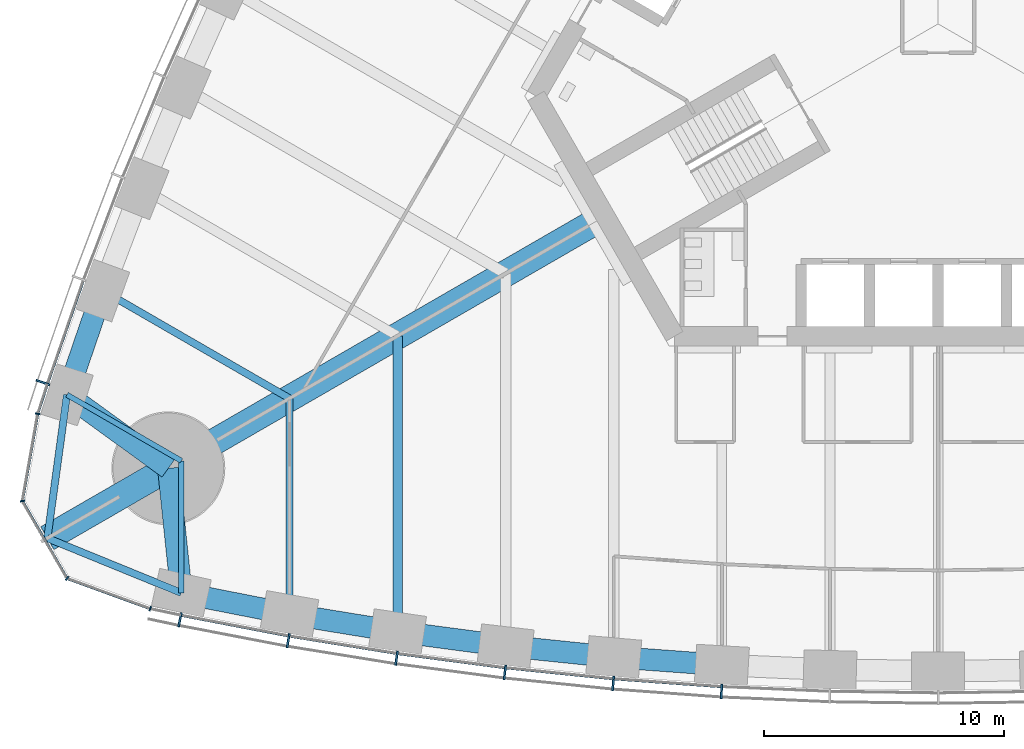
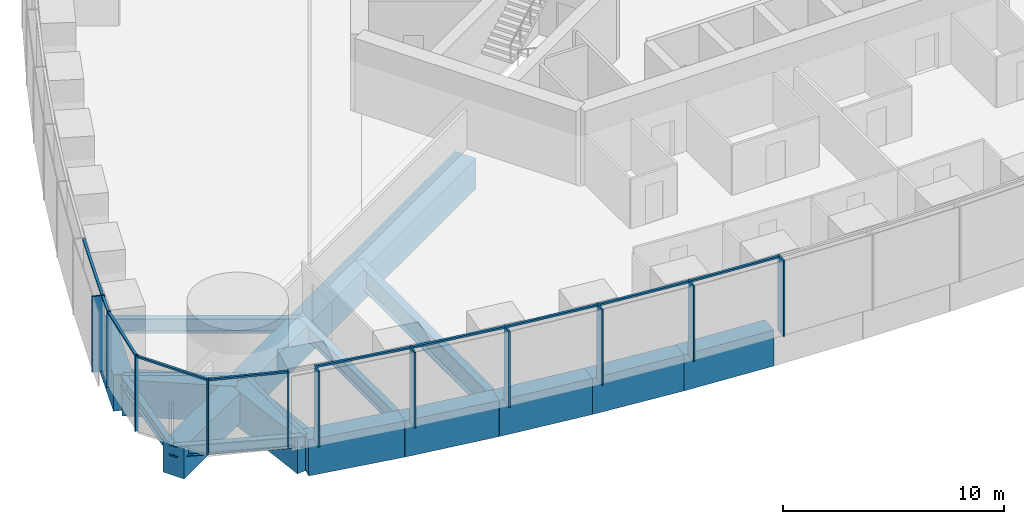
# One storey, part 2 of 18: 21 members, 17 beams, 3 elements without a shape of their own.
"""IFC4 building model written with IfcOpenShell, lengths in metres."""

from ifc_helpers import new_model, si_unit, direction, frame, origin, origin_2d, place, context, subcontext, project, spatial, rectangle, i_section, extrude, material, material_profile, profile_set, type_object, element, aggregate, save


model = new_model("IFC4")

# Units and contexts
model_context = context("Model", 3, precision=1e-05, world=origin(), true_north=direction((0.0, 1.0)))
body_context = subcontext(model_context, "Body", "Model", "MODEL_VIEW")
ifc_project = project(units=[si_unit("LENGTHUNIT", "METRE"), si_unit("AREAUNIT", "SQUARE_METRE"), si_unit("VOLUMEUNIT", "CUBIC_METRE"), si_unit("PLANEANGLEUNIT", "RADIAN"), si_unit("MASSUNIT", "GRAM", prefix="KILO")], contexts=[model_context])

# Site, building, storey
site_placement = place(None, origin())
site = spatial("IfcSite", under=ifc_project, at=site_placement, CompositionType="ELEMENT")
building_placement = place(site_placement, origin())
building = spatial("IfcBuilding", under=site, at=building_placement, Name="Trefoil Bronze Tower", CompositionType="ELEMENT")
storey_placement = place(building_placement, frame((0.0, 0.0, 75.300048828125)))
storey = spatial("IfcBuildingStorey", under=building, at=storey_placement, Name="L17", CompositionType="ELEMENT", Elevation=75.300048828125)

# Curtain wall, members
ifc_material_1 = material(Name="Tinted solar-control glass", Category="glass")
curtain_wall_type_1 = type_object("IfcCurtainWallType", Name="Bronze office curtain wall", PredefinedType="USERDEFINED", material=ifc_material_1)
curtain_wall_1_placement = place(storey_placement, origin())
curtain_wall_1 = element("IfcCurtainWall", 1, at=curtain_wall_1_placement, inside=storey, type_object=curtain_wall_type_1, Name="CW-A L17 F1", ObjectType="CURTAIN WALL", PredefinedType="USERDEFINED")
ifc_material_2 = material(Name="Bronze-finish aluminium", Category="aluminium")
ifc_material_profile_1 = material_profile(ifc_material_2, rectangle(XDim=0.60009765625, YDim=0.080078125, at=origin_2d()), Name="CW-A mullion")
ifc_profile_set_1 = profile_set([ifc_material_profile_1], Name="Bronze-finish aluminium")
member_type_1 = type_object("IfcMemberType", Name="Bronze office curtain wall mullion", PredefinedType="MULLION", material=ifc_profile_set_1)
member_1_placement = place(storey_placement, frame((-31.559326171875, -24.81005859375, 0.0), z_axis=(0.0, 0.0, 1.0), x_axis=(0.197910006829, 0.98022019424, 0.0)))
member_1 = element("IfcMember", 2, at=member_1_placement, type_object=member_type_1, Name="CW-A L17 F1 mullion 2", PredefinedType="MULLION", context=body_context, shape_type="SweptSolid", body=[
    extrude(rectangle(XDim=0.60009765625, YDim=0.080078125, at=origin_2d()), origin(), (0.0, 0.0, 1.0), 4.179931640625),
])
member_2_placement = place(storey_placement, frame((-27.05224609375, -25.67578125, 0.0), z_axis=(0.0, 0.0, 1.0), x_axis=(0.174131146426, 0.984722470468, 0.0)))
member_2 = element("IfcMember", 3, at=member_2_placement, type_object=member_type_1, Name="CW-A L17 F1 mullion 3", PredefinedType="MULLION", context=body_context, shape_type="SweptSolid", body=[
    extrude(rectangle(XDim=0.60009765625, YDim=0.080078125, at=origin_2d()), origin(), (0.0, 0.0, 1.0), 4.179931640625),
])
member_3_placement = place(storey_placement, frame((-22.54345703125, -26.40478515625, 0.0), z_axis=(0.0, 0.0, 1.0), x_axis=(0.145108990094, 0.989415676546, 0.0)))
member_3 = element("IfcMember", 4, at=member_3_placement, type_object=member_type_1, Name="CW-A L17 F1 mullion 4", PredefinedType="MULLION", context=body_context, shape_type="SweptSolid", body=[
    extrude(rectangle(XDim=0.60009765625, YDim=0.080078125, at=origin_2d()), origin(), (0.0, 0.0, 1.0), 4.179931640625),
])
member_4_placement = place(storey_placement, frame((-18.034912109375, -26.99853515625, 0.0), z_axis=(0.0, 0.0, 1.0), x_axis=(0.116086999973, 0.993239048989, 0.0)))
member_4 = element("IfcMember", 5, at=member_4_placement, type_object=member_type_1, Name="CW-A L17 F1 mullion 5", PredefinedType="MULLION", context=body_context, shape_type="SweptSolid", body=[
    extrude(rectangle(XDim=0.60009765625, YDim=0.080078125, at=origin_2d()), origin(), (0.0, 0.0, 1.0), 4.179931640625),
])
member_5_placement = place(storey_placement, frame((-13.526123046875, -27.458984375, 0.0), z_axis=(0.0, 0.0, 1.0), x_axis=(0.087065139456, 0.996202620701, 0.0)))
member_5 = element("IfcMember", 6, at=member_5_placement, type_object=member_type_1, Name="CW-A L17 F1 mullion 6", PredefinedType="MULLION", context=body_context, shape_type="SweptSolid", body=[
    extrude(rectangle(XDim=0.60009765625, YDim=0.080078125, at=origin_2d()), origin(), (0.0, 0.0, 1.0), 4.179931640625),
])
member_6_placement = place(storey_placement, frame((-9.017333984375, -27.786865234375, 0.0), z_axis=(0.0, 0.0, 1.0), x_axis=(0.058043374207, 0.998314062162, 0.0)))
member_6 = element("IfcMember", 7, at=member_6_placement, type_object=member_type_1, Name="CW-A L17 F1 mullion 7", PredefinedType="MULLION", context=body_context, shape_type="SweptSolid", body=[
    extrude(rectangle(XDim=0.60009765625, YDim=0.080078125, at=origin_2d()), origin(), (0.0, 0.0, 1.0), 4.179931640625),
])

# Curtain wall, member
curtain_wall_2_placement = place(storey_placement, origin())
curtain_wall_2 = element("IfcCurtainWall", 8, at=curtain_wall_2_placement, inside=storey, type_object=curtain_wall_type_1, Name="CW-A L17 F3", ObjectType="CURTAIN WALL", PredefinedType="USERDEFINED")
member_7_placement = place(storey_placement, frame((-37.265869140625, -14.92626953125, 0.0), z_axis=(0.0, 0.0, 1.0), x_axis=(0.947850592929, -0.318715003543, 0.0)))
member_7 = element("IfcMember", 9, at=member_7_placement, type_object=member_type_1, Name="CW-A L17 F3 mullion 16", PredefinedType="MULLION", context=body_context, shape_type="SweptSolid", body=[
    extrude(rectangle(XDim=0.60009765625, YDim=0.080078125, at=origin_2d()), origin(), (0.0, 0.0, 1.0), 4.179931640625),
])

# Member
ifc_material_3 = material(Name="Bronze-finish aluminium", Category="aluminium")
ifc_material_profile_2 = material_profile(ifc_material_3, rectangle(XDim=0.1201171875, YDim=0.10009765625, at=origin_2d()), Name="CW-A transom")
ifc_profile_set_2 = profile_set([ifc_material_profile_2], Name="Bronze-finish aluminium")
member_type_2 = type_object("IfcMemberType", Name="Bronze office curtain wall transom", PredefinedType="USERDEFINED", material=ifc_profile_set_2)
member_8_placement = place(storey_placement, frame((-31.4794921875, -24.621826171875, 4.1298828125), z_axis=(0.982053603997, -0.188602011855, 0.0), x_axis=(0.188602011855, 0.982053603997, 0.0)))
member_8 = element("IfcMember", 10, at=member_8_placement, type_object=member_type_2, Name="CW-A L17 F1 transom 2", ObjectType="TRANSOM", PredefinedType="USERDEFINED", context=body_context, shape_type="SweptSolid", body=[
    extrude(rectangle(XDim=0.1201171875, YDim=0.10009765625, at=origin_2d()), origin(), (0.0, 0.0, 1.0), 4.502197265625),
])

member_9_placement = place(storey_placement, frame((-26.9765625, -25.4853515625, 4.1298828125), z_axis=(0.987179401487, -0.159614627398, 0.0), x_axis=(0.159614627398, 0.987179401487, 0.0)))
member_9 = element("IfcMember", 11, at=member_9_placement, type_object=member_type_2, Name="CW-A L17 F1 transom 3", ObjectType="TRANSOM", PredefinedType="USERDEFINED", context=body_context, shape_type="SweptSolid", body=[
    extrude(rectangle(XDim=0.1201171875, YDim=0.10009765625, at=origin_2d()), origin(), (0.0, 0.0, 1.0), 4.478515625),
])

member_10_placement = place(storey_placement, frame((-22.473388671875, -26.212158203125, 4.1298828125), z_axis=(0.991436581643, -0.13058906761, 0.0), x_axis=(0.13058906761, 0.991436581643, 0.0)))
member_10 = element("IfcMember", 12, at=member_10_placement, type_object=member_type_2, Name="CW-A L17 F1 transom 4", ObjectType="TRANSOM", PredefinedType="USERDEFINED", context=body_context, shape_type="SweptSolid", body=[
    extrude(rectangle(XDim=0.1201171875, YDim=0.10009765625, at=origin_2d()), origin(), (0.0, 0.0, 1.0), 4.458740234375),
])

member_11_placement = place(storey_placement, frame((-17.970458984375, -26.80419921875, 4.1298828125), z_axis=(0.994831650915, -0.101538102888, 0.0), x_axis=(0.101538102888, 0.994831650915, 0.0)))
member_11 = element("IfcMember", 13, at=member_11_placement, type_object=member_type_2, Name="CW-A L17 F1 transom 5", ObjectType="TRANSOM", PredefinedType="USERDEFINED", context=body_context, shape_type="SweptSolid", body=[
    extrude(rectangle(XDim=0.1201171875, YDim=0.10009765625, at=origin_2d()), origin(), (0.0, 0.0, 1.0), 4.443359375),
])

member_12_placement = place(storey_placement, frame((-13.46728515625, -27.2626953125, 4.1298828125), z_axis=(0.997364729945, -0.07255064067, 0.0), x_axis=(0.07255064067, 0.997364729945, 0.0)))
member_12 = element("IfcMember", 14, at=member_12_placement, type_object=member_type_2, Name="CW-A L17 F1 transom 6", ObjectType="TRANSOM", PredefinedType="USERDEFINED", context=body_context, shape_type="SweptSolid", body=[
    extrude(rectangle(XDim=0.1201171875, YDim=0.10009765625, at=origin_2d()), origin(), (0.0, 0.0, 1.0), 4.431884765625),
])

aggregate(curtain_wall_1, [member_1, member_2, member_3, member_4, member_5, member_6, member_8, member_9, member_10, member_11, member_12])

member_13_placement = place(storey_placement, frame((-35.587646484375, -10.697509765625, 4.1298828125), z_axis=(-0.327689728493, -0.944785394595, 0.0), x_axis=(0.944785394595, -0.327689728493, 0.0)))
member_13 = element("IfcMember", 15, at=member_13_placement, type_object=member_type_2, Name="CW-A L17 F3 transom 15", ObjectType="TRANSOM", PredefinedType="USERDEFINED", context=body_context, shape_type="SweptSolid", body=[
    extrude(rectangle(XDim=0.1201171875, YDim=0.10009765625, at=origin_2d()), origin(), (0.0, 0.0, 1.0), 4.502197265625),
])

member_14_placement = place(storey_placement, frame((-37.089111328125, -15.02880859375, 4.1298828125), z_axis=(-0.309624219148, -0.950859002648, 0.0), x_axis=(0.950859002648, -0.309624219148, 0.0)))
member_14 = element("IfcMember", 16, at=member_14_placement, type_object=member_type_2, Name="CW-A L17 F3 transom 16", ObjectType="TRANSOM", PredefinedType="USERDEFINED", context=body_context, shape_type="SweptSolid", body=[
    extrude(rectangle(XDim=0.1201171875, YDim=0.10009765625, at=origin_2d()), origin(), (0.0, 0.0, 1.0), 1.21044921875),
])

aggregate(curtain_wall_2, [member_7, member_13, member_14])

# Curtain wall, members
ifc_material_4 = material(Name="Tinted solar-control glass", Category="glass")
curtain_wall_type_2 = type_object("IfcCurtainWallType", Name="Bronze rounded corner curtain wall", PredefinedType="USERDEFINED", material=ifc_material_4)
curtain_wall_3_placement = place(storey_placement, origin())
curtain_wall_3 = element("IfcCurtainWall", 17, at=curtain_wall_3_placement, inside=storey, type_object=curtain_wall_type_2, Name="CW-B L17 K3", ObjectType="CURTAIN WALL", PredefinedType="USERDEFINED")
ifc_material_5 = material(Name="Bronze-finish aluminium", Category="aluminium")
ifc_material_profile_3 = material_profile(ifc_material_5, rectangle(XDim=0.199951171875, YDim=0.06005859375, at=origin_2d()), Name="CW-B mullion")
ifc_profile_set_3 = profile_set([ifc_material_profile_3], Name="Bronze-finish aluminium")
member_type_3 = type_object("IfcMemberType", Name="Bronze rounded corner curtain wall mullion", PredefinedType="MULLION", material=ifc_profile_set_3)
member_15_placement = place(storey_placement, frame((-37.479736328125, -16.2314453125, 0.0), z_axis=(0.0, 0.0, 1.0), x_axis=(0.984807753012, -0.173648177667, 0.0)))
member_15 = element("IfcMember", 18, at=member_15_placement, type_object=member_type_3, Name="CW-B L17 K3 mullion 1", PredefinedType="MULLION", context=body_context, shape_type="SweptSolid", body=[
    extrude(rectangle(XDim=0.199951171875, YDim=0.06005859375, at=origin_2d()), origin(), (0.0, 0.0, 1.0), 4.179931640625),
])
member_16_placement = place(storey_placement, frame((-38.11328125, -19.85888671875, 0.0), z_axis=(0.0, 0.0, 1.0), x_axis=(0.984807753012, 0.173648177667, 0.0)))
member_16 = element("IfcMember", 19, at=member_16_placement, type_object=member_type_3, Name="CW-B L17 K3 mullion 2", PredefinedType="MULLION", context=body_context, shape_type="SweptSolid", body=[
    extrude(rectangle(XDim=0.199951171875, YDim=0.06005859375, at=origin_2d()), origin(), (0.0, 0.0, 1.0), 4.179931640625),
])
member_17_placement = place(storey_placement, frame((-36.2548828125, -23.07763671875, 0.0), z_axis=(0.0, 0.0, 1.0), x_axis=(0.642787609687, 0.766044443119, 0.0)))
member_17 = element("IfcMember", 20, at=member_17_placement, type_object=member_type_3, Name="CW-B L17 K3 mullion 3", PredefinedType="MULLION", context=body_context, shape_type="SweptSolid", body=[
    extrude(rectangle(XDim=0.199951171875, YDim=0.06005859375, at=origin_2d()), origin(), (0.0, 0.0, 1.0), 4.179931640625),
])
member_18_placement = place(storey_placement, frame((-32.796630859375, -24.3427734375, 0.0), z_axis=(0.0, 0.0, 1.0), x_axis=(0.342020143326, 0.939692620786, 0.0)))
member_18 = element("IfcMember", 21, at=member_18_placement, type_object=member_type_3, Name="CW-B L17 K3 mullion 4", PredefinedType="MULLION", context=body_context, shape_type="SweptSolid", body=[
    extrude(rectangle(XDim=0.199951171875, YDim=0.06005859375, at=origin_2d()), origin(), (0.0, 0.0, 1.0), 4.179931640625),
])
ifc_material_6 = material(Name="Bronze-finish aluminium", Category="aluminium")
ifc_material_profile_4 = material_profile(ifc_material_6, rectangle(XDim=0.1201171875, YDim=0.10009765625, at=origin_2d()), Name="CW-B transom")
ifc_profile_set_4 = profile_set([ifc_material_profile_4], Name="Bronze-finish aluminium")
member_type_4 = type_object("IfcMemberType", Name="Bronze rounded corner curtain wall transom", PredefinedType="USERDEFINED", material=ifc_profile_set_4)
member_19_placement = place(storey_placement, frame((-37.48486328125, -16.260986328125, 4.1298828125), z_axis=(-0.17363783606, -0.984809576461, 0.0), x_axis=(0.984809576461, -0.17363783606, 0.0)))
member_19 = element("IfcMember", 22, at=member_19_placement, type_object=member_type_4, Name="CW-B L17 K3 transom 1", ObjectType="TRANSOM", PredefinedType="USERDEFINED", context=body_context, shape_type="SweptSolid", body=[
    extrude(rectangle(XDim=0.1201171875, YDim=0.10009765625, at=origin_2d()), origin(), (0.0, 0.0, 1.0), 3.588134765625),
])
member_20_placement = place(storey_placement, frame((-38.08642578125, -19.91748046875, 4.1298828125), z_axis=(0.500024788772, -0.866011091507, 0.0), x_axis=(0.866011091507, 0.500024788772, 0.0)))
member_20 = element("IfcMember", 23, at=member_20_placement, type_object=member_type_4, Name="CW-B L17 K3 transom 2", ObjectType="TRANSOM", PredefinedType="USERDEFINED", context=body_context, shape_type="SweptSolid", body=[
    extrude(rectangle(XDim=0.1201171875, YDim=0.10009765625, at=origin_2d()), origin(), (0.0, 0.0, 1.0), 3.588134765625),
])
member_21_placement = place(storey_placement, frame((-36.196533203125, -23.105224609375, 4.1298828125), z_axis=(0.939688092095, -0.342032585545, 0.0), x_axis=(0.342032585545, 0.939688092095, 0.0)))
member_21 = element("IfcMember", 24, at=member_21_placement, type_object=member_type_4, Name="CW-B L17 K3 transom 3", ObjectType="TRANSOM", PredefinedType="USERDEFINED", context=body_context, shape_type="SweptSolid", body=[
    extrude(rectangle(XDim=0.1201171875, YDim=0.10009765625, at=origin_2d()), origin(), (0.0, 0.0, 1.0), 3.588134765625),
])
aggregate(curtain_wall_3, [member_15, member_16, member_17, member_18, member_19, member_20, member_21])

# Beams
ifc_material_7 = material(Name="Concrete B80", Category="concrete")
ifc_material_profile_5 = material_profile(ifc_material_7, rectangle(XDim=1.10009765625, YDim=1.699951171875, at=origin_2d()), Name="RC 1100x1700")
ifc_profile_set_5 = profile_set([ifc_material_profile_5], Name="Concrete B80")
beam_type_1 = type_object("IfcBeamType", Name="Corner cantilever RC 1100x1700", PredefinedType="BEAM", material=ifc_profile_set_5)
beam_1_placement = place(storey_placement, frame((-32.04296875, -18.5, -1.050048828125), z_axis=(-0.866030348588, -0.499991435252, 0.0), x_axis=(0.499991435252, -0.866030348588, 0.0)))
element("IfcBeam", 25, at=beam_1_placement, inside=storey, type_object=beam_type_1, Name="Corner cantilever K3 L17", PredefinedType="BEAM", context=body_context, shape_type="SweptSolid", body=[
    extrude(rectangle(XDim=1.10009765625, YDim=1.699951171875, at=origin_2d()), origin(), (0.0, 0.0, 1.0), 5.81396484375),
])
ifc_material_8 = material(Name="Steel C355", Category="steel")
ifc_material_profile_6 = material_profile(ifc_material_8, i_section(OverallWidth=0.300048828125, OverallDepth=0.60009765625, WebThickness=0.015380859375, FlangeThickness=0.030029296875, FilletRadius=0.027099609375, at=origin_2d()), Name="HEB 600")
ifc_profile_set_6 = profile_set([ifc_material_profile_6], Name="Steel C355")
beam_type_2 = type_object("IfcBeamType", Name="Corner edge beam HEB 600", PredefinedType="BEAM", material=ifc_profile_set_6)
beam_2_placement = place(storey_placement, frame((-31.5, -23.684814453125, -0.5), z_axis=(-0.925786874353, 0.378045848114, 0.0), x_axis=(-0.378045848114, -0.925786874353, 0.0)))
element("IfcBeam", 26, at=beam_2_placement, inside=storey, type_object=beam_type_2, Name="Corner edge beam F1B L17", PredefinedType="BEAM", context=body_context, shape_type="SweptSolid", body=[
    extrude(i_section(OverallWidth=0.300048828125, OverallDepth=0.60009765625, WebThickness=0.015380859375, FlangeThickness=0.030029296875, FilletRadius=0.027099609375, at=origin_2d()), origin(), (0.0, 0.0, 1.0), 6.025390625),
])
beam_3_placement = place(storey_placement, frame((-36.26171875, -15.4375, -0.5), z_axis=(-0.13550196505, -0.990777077585, 0.0), x_axis=(0.990777077585, -0.13550196505, 0.0)))
element("IfcBeam", 27, at=beam_3_placement, inside=storey, type_object=beam_type_2, Name="Corner edge beam F3A L17", PredefinedType="BEAM", context=body_context, shape_type="SweptSolid", body=[
    extrude(i_section(OverallWidth=0.300048828125, OverallDepth=0.60009765625, WebThickness=0.015380859375, FlangeThickness=0.030029296875, FilletRadius=0.027099609375, at=origin_2d()), origin(), (0.0, 0.0, 1.0), 6.025146484375),
])
ifc_material_9 = material(Name="Concrete B80", Category="concrete")
ifc_material_profile_7 = material_profile(ifc_material_9, rectangle(XDim=1.10009765625, YDim=1.699951171875, at=origin_2d()), Name="RC 1100x1700")
ifc_profile_set_7 = profile_set([ifc_material_profile_7], Name="Concrete B80")
beam_type_3 = type_object("IfcBeamType", Name="Corner girder RC 1100x1700", PredefinedType="BEAM", material=ifc_profile_set_7)
beam_4_placement = place(storey_placement, frame((-14.202880859375, -8.199951171875, -1.050048828125), z_axis=(-0.866023947468, -0.500002522405, 0.0), x_axis=(0.500002522405, -0.866023947468, 0.0)))
element("IfcBeam", 28, at=beam_4_placement, inside=storey, type_object=beam_type_3, Name="Corner girder K3 L17", PredefinedType="BEAM", context=body_context, shape_type="SweptSolid", body=[
    extrude(rectangle(XDim=1.10009765625, YDim=1.699951171875, at=origin_2d()), origin(), (0.0, 0.0, 1.0), 20.60009765625),
])
ifc_material_10 = material(Name="Concrete B80", Category="concrete")
ifc_material_profile_8 = material_profile(ifc_material_10, rectangle(XDim=0.89990234375, YDim=2.0, at=origin_2d()), Name="RC 900x2000")
ifc_profile_set_8 = profile_set([ifc_material_profile_8], Name="Concrete B80")
beam_type_4 = type_object("IfcBeamType", Name="End spandrel beam RC 900x2000", PredefinedType="SPANDREL", material=ifc_profile_set_8)
for number, where, z_axis, x_axis, name in (
    (29, (-32.04296875, -18.5, -1.199951171875), (0.104153327908, -0.994561252154, 0.0), (0.994561252154, 0.104153327908, 0.0), "Spandrel F1.1 L17"),
    (30, (-36.26171875, -15.4375, -1.199951171875), (0.809254211267, -0.587458612624, 0.0), (0.587458612624, 0.809254211267, 0.0), "Spandrel F3.16 L17"),
):
    element("IfcBeam", number, at=place(storey_placement, frame(where, z_axis=z_axis, x_axis=x_axis)), inside=storey, type_object=beam_type_4, Name=name, PredefinedType="SPANDREL", context=body_context, shape_type="SweptSolid", body=[
        extrude(rectangle(XDim=0.89990234375, YDim=2.0, at=origin_2d()), origin(), (0.0, 0.0, 1.0), 5.213134765625),
    ])
ifc_material_11 = material(Name="Steel C355", Category="steel")
ifc_material_profile_9 = material_profile(ifc_material_11, i_section(OverallWidth=0.300048828125, OverallDepth=0.800048828125, WebThickness=0.017578125, FlangeThickness=0.032958984375, FilletRadius=0.030029296875, at=origin_2d()), Name="HEB 800")
ifc_profile_set_9 = profile_set([ifc_material_profile_9], Name="Steel C355")
beam_type_5 = type_object("IfcBeamType", Name="Floor beam HEB 800", PredefinedType="BEAM", material=ifc_profile_set_9)
for number, where, z_axis, x_axis, name in (
    (31, (-27.0, -24.56787109375, -0.60009765625), (0.0, 1.0, 0.0), (-1.0, 0.0, 0.0), "Floor beam F1/-6 L17"),
    (32, (-34.7763671875, -11.0986328125, -0.60009765625), (0.866022587327, -0.500004878216, 0.0), (0.500004878216, 0.866022587327, 0.0), "Floor beam F3/+6 L17"),
):
    element("IfcBeam", number, at=place(storey_placement, frame(where, z_axis=z_axis, x_axis=x_axis)), inside=storey, type_object=beam_type_5, Name=name, PredefinedType="BEAM", context=body_context, shape_type="SweptSolid", body=[
        extrude(i_section(OverallWidth=0.300048828125, OverallDepth=0.800048828125, WebThickness=0.017578125, FlangeThickness=0.032958984375, FilletRadius=0.030029296875, at=origin_2d()), origin(), (0.0, 0.0, 1.0), 8.9794921875),
    ])
ifc_material_12 = material(Name="Steel C355", Category="steel")
ifc_material_profile_10 = material_profile(ifc_material_12, i_section(OverallWidth=0.219970703125, OverallDepth=0.60009765625, WebThickness=0.011962890625, FlangeThickness=0.01904296875, FilletRadius=0.02392578125, at=origin_2d()), Name="IPE 600")
ifc_profile_set_10 = profile_set([ifc_material_profile_10], Name="Steel C355")
beam_type_6 = type_object("IfcBeamType", Name="Floor beam IPE 600", PredefinedType="BEAM", material=ifc_profile_set_10)
for number, where, z_axis, x_axis, name in (
    (33, (-31.5, -23.684814453125, -0.5), (0.0, 1.0, 0.0), (-1.0, 0.0, 0.0), "Floor beam F1/-7 L17"),
    (34, (-36.26171875, -15.4375, -0.5), (0.866037702141, -0.499978698016, 0.0), (0.499978698016, 0.866037702141, 0.0), "Floor beam F3/+7 L17"),
):
    element("IfcBeam", number, at=place(storey_placement, frame(where, z_axis=z_axis, x_axis=x_axis)), inside=storey, type_object=beam_type_6, Name=name, PredefinedType="BEAM", context=body_context, shape_type="SweptSolid", body=[
        extrude(i_section(OverallWidth=0.219970703125, OverallDepth=0.60009765625, WebThickness=0.011962890625, FlangeThickness=0.01904296875, FilletRadius=0.02392578125, at=origin_2d()), origin(), (0.0, 0.0, 1.0), 5.498291015625),
    ])
ifc_material_13 = material(Name="Steel C355", Category="steel")
ifc_material_profile_11 = material_profile(ifc_material_13, i_section(OverallWidth=0.39990234375, OverallDepth=1.199951171875, WebThickness=0.02001953125, FlangeThickness=0.0400390625, FilletRadius=0.010009765625, at=origin_2d()), Name="WPG 1200")
ifc_profile_set_11 = profile_set([ifc_material_profile_11], Name="Steel C355")
beam_type_7 = type_object("IfcBeamType", Name="Floor beam WPG 1200", PredefinedType="BEAM", material=ifc_profile_set_11)
beam_5_placement = place(storey_placement, frame((-22.5, -25.29931640625, -0.800048828125), z_axis=(0.0, 1.0, 0.0), x_axis=(-1.0, 0.0, 0.0)))
element("IfcBeam", 35, at=beam_5_placement, inside=storey, type_object=beam_type_7, Name="Floor beam F1/-5 L17", PredefinedType="BEAM", context=body_context, shape_type="SweptSolid", body=[
    extrude(i_section(OverallWidth=0.39990234375, OverallDepth=1.199951171875, WebThickness=0.02001953125, FlangeThickness=0.0400390625, FilletRadius=0.010009765625, at=origin_2d()), origin(), (0.0, 0.0, 1.0), 12.308837890625),
])
ifc_material_14 = material(Name="Concrete B80", Category="concrete")
ifc_material_profile_12 = material_profile(ifc_material_14, rectangle(XDim=0.89990234375, YDim=2.0, at=origin_2d()), Name="RC 900x2000")
ifc_profile_set_12 = profile_set([ifc_material_profile_12], Name="Concrete B80")
beam_type_8 = type_object("IfcBeamType", Name="Spandrel beam RC 900x2000", PredefinedType="SPANDREL", material=ifc_profile_set_12)
beam_6_placement = place(storey_placement, frame((-31.5, -23.684814453125, -1.199951171875), z_axis=(0.981284764092, -0.192562228283, 0.0), x_axis=(0.192562228283, 0.981284764092, 0.0)))
element("IfcBeam", 36, at=beam_6_placement, inside=storey, type_object=beam_type_8, Name="Spandrel F1.2 L17", PredefinedType="SPANDREL", context=body_context, shape_type="SweptSolid", body=[
    extrude(rectangle(XDim=0.89990234375, YDim=2.0, at=origin_2d()), origin(), (0.0, 0.0, 1.0), 4.5859375),
])
beam_7_placement = place(storey_placement, frame((-27.0, -24.56787109375, -1.199951171875), z_axis=(0.987045951254, -0.160437807615, 0.0), x_axis=(0.160437807615, 0.987045951254, 0.0)))
element("IfcBeam", 37, at=beam_7_placement, inside=storey, type_object=beam_type_8, Name="Spandrel F1.3 L17", PredefinedType="SPANDREL", context=body_context, shape_type="SweptSolid", body=[
    extrude(rectangle(XDim=0.89990234375, YDim=2.0, at=origin_2d()), origin(), (0.0, 0.0, 1.0), 4.55908203125),
])
beam_8_placement = place(storey_placement, frame((-22.5, -25.29931640625, -1.199951171875), z_axis=(0.991344474846, -0.131286450906, 0.0), x_axis=(0.131286450906, 0.991344474846, 0.0)))
element("IfcBeam", 38, at=beam_8_placement, inside=storey, type_object=beam_type_8, Name="Spandrel F1.4 L17", PredefinedType="SPANDREL", context=body_context, shape_type="SweptSolid", body=[
    extrude(rectangle(XDim=0.89990234375, YDim=2.0, at=origin_2d()), origin(), (0.0, 0.0, 1.0), 4.539306640625),
])
beam_9_placement = place(storey_placement, frame((-18.0, -25.895263671875, -1.199951171875), z_axis=(0.994778488621, -0.102057623805, 0.0), x_axis=(0.102057623805, 0.994778488621, 0.0)))
element("IfcBeam", 39, at=beam_9_placement, inside=storey, type_object=beam_type_8, Name="Spandrel F1.5 L17", PredefinedType="SPANDREL", context=body_context, shape_type="SweptSolid", body=[
    extrude(rectangle(XDim=0.89990234375, YDim=2.0, at=origin_2d()), origin(), (0.0, 0.0, 1.0), 4.523681640625),
])
beam_10_placement = place(storey_placement, frame((-13.5, -26.35693359375, -1.199951171875), z_axis=(0.997336412354, -0.072938882588, 0.0), x_axis=(0.072938882588, 0.997336412354, 0.0)))
element("IfcBeam", 40, at=beam_10_placement, inside=storey, type_object=beam_type_8, Name="Spandrel F1.6 L17", PredefinedType="SPANDREL", context=body_context, shape_type="SweptSolid", body=[
    extrude(rectangle(XDim=0.89990234375, YDim=2.0, at=origin_2d()), origin(), (0.0, 0.0, 1.0), 4.511962890625),
])
beam_11_placement = place(storey_placement, frame((-34.7763671875, -11.0986328125, -1.199951171875), z_axis=(-0.323883319148, -0.946097032855, 0.0), x_axis=(0.946097032855, -0.323883319148, 0.0)))
element("IfcBeam", 41, at=beam_11_placement, inside=storey, type_object=beam_type_8, Name="Spandrel F3.15 L17", PredefinedType="SPANDREL", context=body_context, shape_type="SweptSolid", body=[
    extrude(rectangle(XDim=0.89990234375, YDim=2.0, at=origin_2d()), origin(), (0.0, 0.0, 1.0), 4.586181640625),
])

save(model, "model.ifc")
